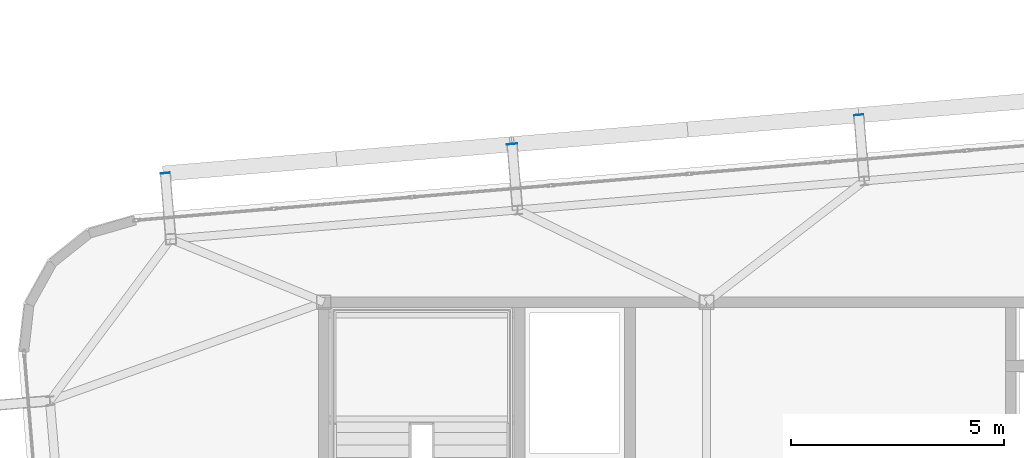
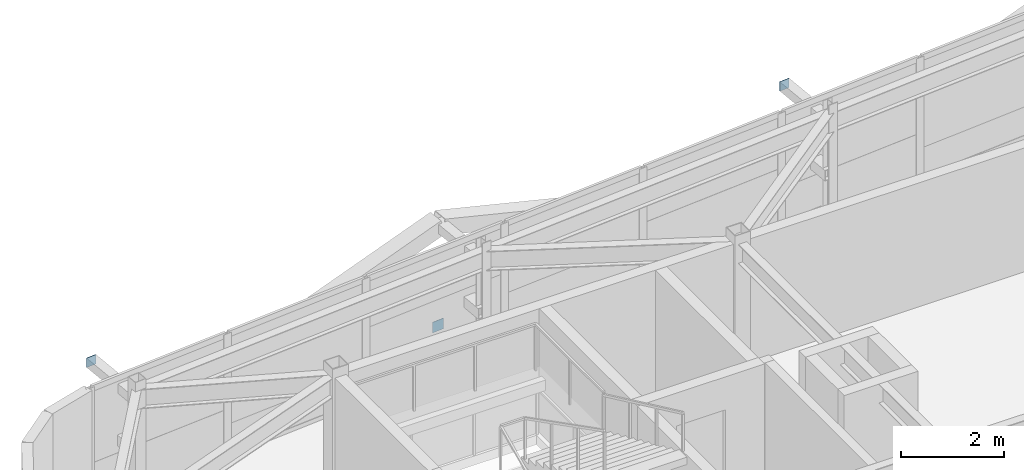
# One storey, part 39 of 46: 3 plates.
"""IFC4 building model written with IfcOpenShell, lengths in metres."""

from ifc_helpers import new_model, si_unit, direction, frame, origin, origin_2d, place, context, subcontext, project, spatial, rectangle, extrude, source, transform, mapped, material, layer, layer_set, type_object, element, save


model = new_model("IFC4")

# Units and contexts
model_context = context("Model", 3, precision=1e-05, world=origin(), true_north=direction((0.0, 1.0)))
body_context = subcontext(model_context, "Body", "Model", "MODEL_VIEW")
ifc_project = project(units=[si_unit("LENGTHUNIT", "METRE"), si_unit("AREAUNIT", "SQUARE_METRE"), si_unit("VOLUMEUNIT", "CUBIC_METRE"), si_unit("PLANEANGLEUNIT", "RADIAN"), si_unit("MASSUNIT", "GRAM", prefix="KILO")], contexts=[model_context])

# Site, building, storey
site_placement = place(None, origin())
site = spatial("IfcSite", under=ifc_project, at=site_placement, CompositionType="ELEMENT")
building_placement = place(site_placement, origin())
building = spatial("IfcBuilding", under=site, at=building_placement, Name="Taldren Reach Tower", CompositionType="ELEMENT")
storey_placement = place(building_placement, frame((0.0, 0.0, 185.14990234375)))
storey = spatial("IfcBuildingStorey", under=building, at=storey_placement, Name="L56", CompositionType="ELEMENT", Elevation=185.14990234375)

# Plates
ifc_material_1 = material(Name="Steel Gr 350 (C350L0)", Category="steel")
ifc_layer_1 = layer(ifc_material_1, 0.011962890625)
ifc_layer_set_1 = layer_set([ifc_layer_1], Name="Steel Gr 350 (C350L0)")
plate_type_1 = type_object("IfcPlateType", Name="PL-CAP-250", PredefinedType="SHEET", material=ifc_layer_set_1)
shared_shape_1 = source(origin(), body_context, "Body", "SweptSolid", [
    extrude(rectangle(XDim=0.25, YDim=0.011962890625, at=origin_2d()), origin(), (0.0, 0.0, 1.0), 0.25),
])
plate_placement = place(storey_placement, frame((23.4248046875, 35.718505859375, 0.09521484375), z_axis=(0.0, 0.0, 1.0), x_axis=(0.99649285925, 0.083677843332, 0.0)))
element("IfcPlate", 1, at=plate_placement, inside=storey, type_object=plate_type_1, Name="Tie strut end cap plate B4-N2 L56", PredefinedType="SHEET", context=body_context, shape_type="MappedRepresentation", body=[
    mapped(shared_shape_1, transform((0.0, 0.0, 0.0), scale=1.0)),
])
ifc_material_2 = material(Name="Steel Gr 450 (C450L0)", Category="steel")
ifc_layer_2 = layer(ifc_material_2, 0.011962890625)
ifc_layer_set_2 = layer_set([ifc_layer_2], Name="Steel Gr 450 (C450L0)")
plate_type_2 = type_object("IfcPlateType", Name="PL-CAP-220", PredefinedType="SHEET", material=ifc_layer_set_2)
shared_shape_2 = source(origin(), body_context, "Body", "SweptSolid", [
    extrude(rectangle(XDim=0.219970703125, YDim=0.011962890625, at=origin_2d()), origin(), (0.0, 0.0, 1.0), 0.219970703125),
])
for number, where, z_axis, x_axis, name in (
    (2, (15.273681640625, 35.0341796875, 2.5400390625), (0.0, 0.0, 1.0), (0.99649285925, 0.083677843332, 0.0), "Tie strut end cap plate B4-N1 L56"),
    (3, (31.576171875, 36.403076171875, 2.5400390625), (0.0, 0.0, 1.0), (0.99649285925, 0.083677843332, 0.0), "Tie strut end cap plate B4-N3 L56"),
):
    element("IfcPlate", number, at=place(storey_placement, frame(where, z_axis=z_axis, x_axis=x_axis)), inside=storey, type_object=plate_type_2, Name=name, PredefinedType="SHEET", context=body_context, shape_type="MappedRepresentation", body=[
        mapped(shared_shape_2, transform((0.0, 0.0, 0.0), scale=1.0)),
    ])

save(model, "model.ifc")
